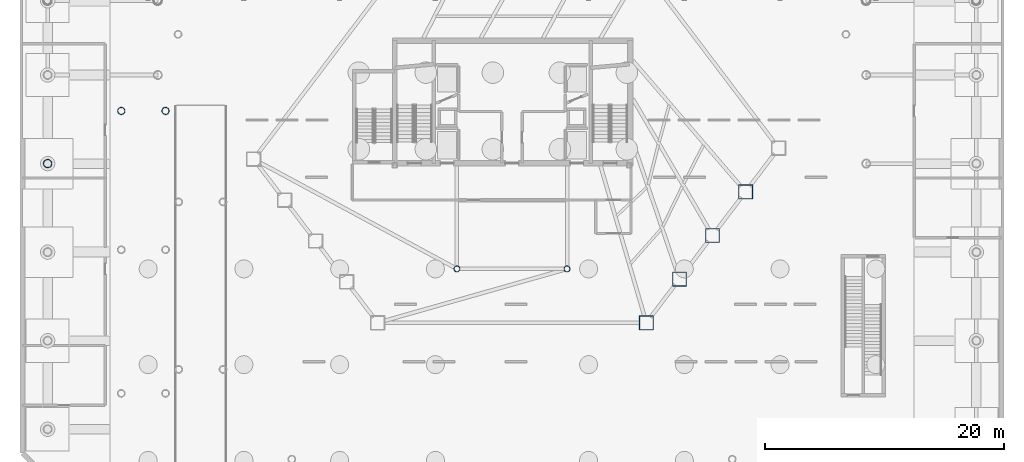
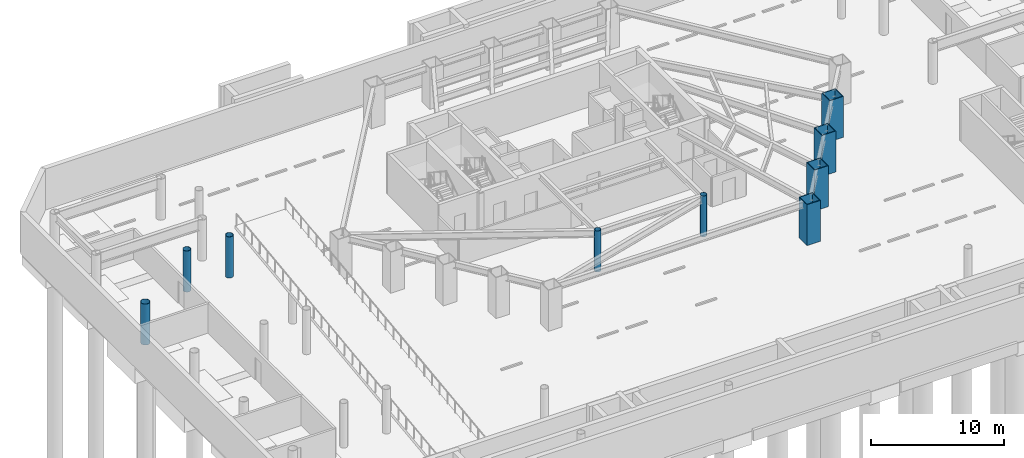
# One storey, part 4 of 19: 9 columns.
"""IFC4 building model written with IfcOpenShell, lengths in metres."""

from ifc_helpers import new_model, si_unit, direction, frame, origin, origin_2d, place, context, subcontext, project, spatial, hollow_rectangle, hollow_circle, extrude, material, material_profile, profile_set, type_object, element, save


model = new_model("IFC4")

# Units and contexts
model_context = context("Model", 3, precision=1e-05, world=origin(), true_north=direction((0.0, 1.0)))
body_context = subcontext(model_context, "Body", "Model", "MODEL_VIEW")
ifc_project = project(units=[si_unit("LENGTHUNIT", "METRE"), si_unit("AREAUNIT", "SQUARE_METRE"), si_unit("VOLUMEUNIT", "CUBIC_METRE"), si_unit("PLANEANGLEUNIT", "RADIAN"), si_unit("MASSUNIT", "GRAM", prefix="KILO")], contexts=[model_context])

# Site, building, storey
site_placement = place(None, origin())
site = spatial("IfcSite", under=ifc_project, at=site_placement, CompositionType="ELEMENT")
building_placement = place(site_placement, origin())
building = spatial("IfcBuilding", under=site, at=building_placement, Name="Zarrinselat Tower", CompositionType="ELEMENT")
storey_placement = place(building_placement, frame((0.0, 0.0, -8.159912109375)))
storey = spatial("IfcBuildingStorey", under=building, at=storey_placement, Name="B02", CompositionType="ELEMENT", Elevation=-8.159912109375)

# Columns
ifc_material_1 = material(Name="Steel S355J2", Category="steel")
ifc_material_profile_1 = material_profile(ifc_material_1, hollow_circle(Radius=0.25390625, WallThickness=0.02001953125, at=origin_2d()), Name="CHS 508x20")
ifc_profile_set_1 = profile_set([ifc_material_profile_1], Name="Steel S355J2")
column_type_1 = type_object("IfcColumnType", Name="COL-CHS508", PredefinedType="COLUMN", material=ifc_profile_set_1)
for number, where, z_axis, x_axis, name in (
    (1, (33.800048828125, 24.39990234375, 0.0), (0.0, 0.0, 1.0), (1.0, 0.0, 0.0), "B02 Atrium Corner Column 1"),
    (2, (43.0, 24.39990234375, 0.0), (0.0, 0.0, 1.0), (1.0, 0.0, 0.0), "B02 Atrium Corner Column 2"),
):
    element("IfcColumn", number, at=place(storey_placement, frame(where, z_axis=z_axis, x_axis=x_axis)), inside=storey, type_object=column_type_1, Name=name, PredefinedType="COLUMN", context=body_context, shape_type="SweptSolid", body=[
        extrude(hollow_circle(Radius=0.25390625, WallThickness=0.02001953125, at=origin_2d()), origin(), (0.0, 0.0, 1.0), 3.760009765625),
    ])
ifc_material_2 = material(Name="Steel S355J2", Category="steel")
ifc_material_profile_2 = material_profile(ifc_material_2, hollow_circle(Radius=0.304931640625, WallThickness=0.02490234375, at=origin_2d()), Name="CHS 610x25")
ifc_profile_set_2 = profile_set([ifc_material_profile_2], Name="Steel S355J2")
column_type_2 = type_object("IfcColumnType", Name="COL-CHS610", PredefinedType="COLUMN", material=ifc_profile_set_2)
for number, where, z_axis, x_axis, name in (
    (3, (5.75, 37.60009765625, 0.0), (0.0, 0.0, 1.0), (1.0, 0.0, 0.0), "B02 Vehicle Ramp R2 Low-End Pier 1"),
    (4, (9.449951171875, 37.60009765625, 0.0), (0.0, 0.0, 1.0), (1.0, 0.0, 0.0), "B02 Vehicle Ramp R2 Low-End Pier 2"),
):
    element("IfcColumn", number, at=place(storey_placement, frame(where, z_axis=z_axis, x_axis=x_axis)), inside=storey, type_object=column_type_2, Name=name, PredefinedType="COLUMN", context=body_context, shape_type="SweptSolid", body=[
        extrude(hollow_circle(Radius=0.304931640625, WallThickness=0.02490234375, at=origin_2d()), origin(), (0.0, 0.0, 1.0), 3.780029296875),
    ])
ifc_material_3 = material(Name="Steel S460M", Category="steel")
ifc_material_profile_3 = material_profile(ifc_material_3, hollow_circle(Radius=0.35546875, WallThickness=0.030029296875, at=origin_2d()), Name="CHS 711x30")
ifc_profile_set_3 = profile_set([ifc_material_profile_3], Name="Steel S460M")
column_type_3 = type_object("IfcColumnType", Name="COL-CHS711", PredefinedType="COLUMN", material=ifc_profile_set_3)
column_placement = place(storey_placement, frame((-0.39990234375, 33.199951171875, 0.0), z_axis=(0.0, 0.0, 1.0), x_axis=(1.0, 0.0, 0.0)))
element("IfcColumn", 5, at=column_placement, inside=storey, type_object=column_type_3, Name="B02 Lower Podium Column 04", PredefinedType="COLUMN", context=body_context, shape_type="SweptSolid", body=[
    extrude(hollow_circle(Radius=0.35546875, WallThickness=0.030029296875, at=origin_2d()), origin(), (0.0, 0.0, 1.0), 3.760009765625),
])
ifc_material_4 = material(Name="Steel S460M", Category="steel")
ifc_material_profile_4 = material_profile(ifc_material_4, hollow_rectangle(XDim=1.199951171875, YDim=1.199951171875, WallThickness=0.06005859375, at=origin_2d()), Name="SHS 1200x1200x60")
ifc_profile_set_4 = profile_set([ifc_material_profile_4], Name="Steel S460M")
column_type_4 = type_object("IfcColumnType", Name="COL-SHS1200", PredefinedType="COLUMN", material=ifc_profile_set_4)
for number, where, z_axis, x_axis, name in (
    (6, (49.626953125, 19.89599609375, 0.0), (0.0, 0.0, 1.0), (1.0, 0.0, 0.0), "B02 Framed-Tube Column T11"),
    (7, (52.391357421875, 23.544921875, 0.0), (0.0, 0.0, 1.0), (1.0, 0.0, 0.0), "B02 Framed-Tube Column T12"),
    (8, (55.15576171875, 27.194091796875, 0.0), (0.0, 0.0, 1.0), (1.0, 0.0, 0.0), "B02 Framed-Tube Column T13"),
    (9, (57.920166015625, 30.843017578125, 0.0), (0.0, 0.0, 1.0), (1.0, 0.0, 0.0), "B02 Framed-Tube Column T14"),
):
    element("IfcColumn", number, at=place(storey_placement, frame(where, z_axis=z_axis, x_axis=x_axis)), inside=storey, type_object=column_type_4, Name=name, PredefinedType="COLUMN", context=body_context, shape_type="SweptSolid", body=[
        extrude(hollow_rectangle(XDim=1.199951171875, YDim=1.199951171875, WallThickness=0.06005859375, at=origin_2d()), origin(), (0.0, 0.0, 1.0), 3.760009765625),
    ])

save(model, "model.ifc")
